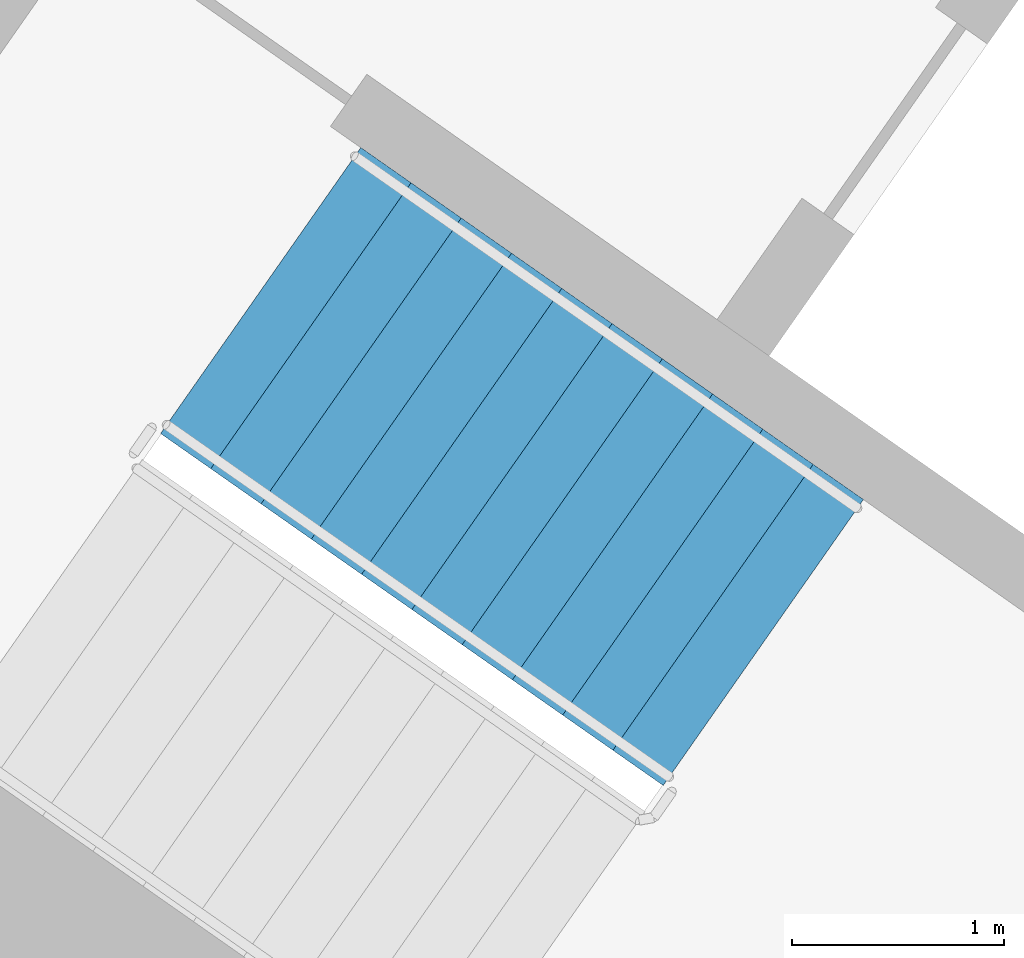
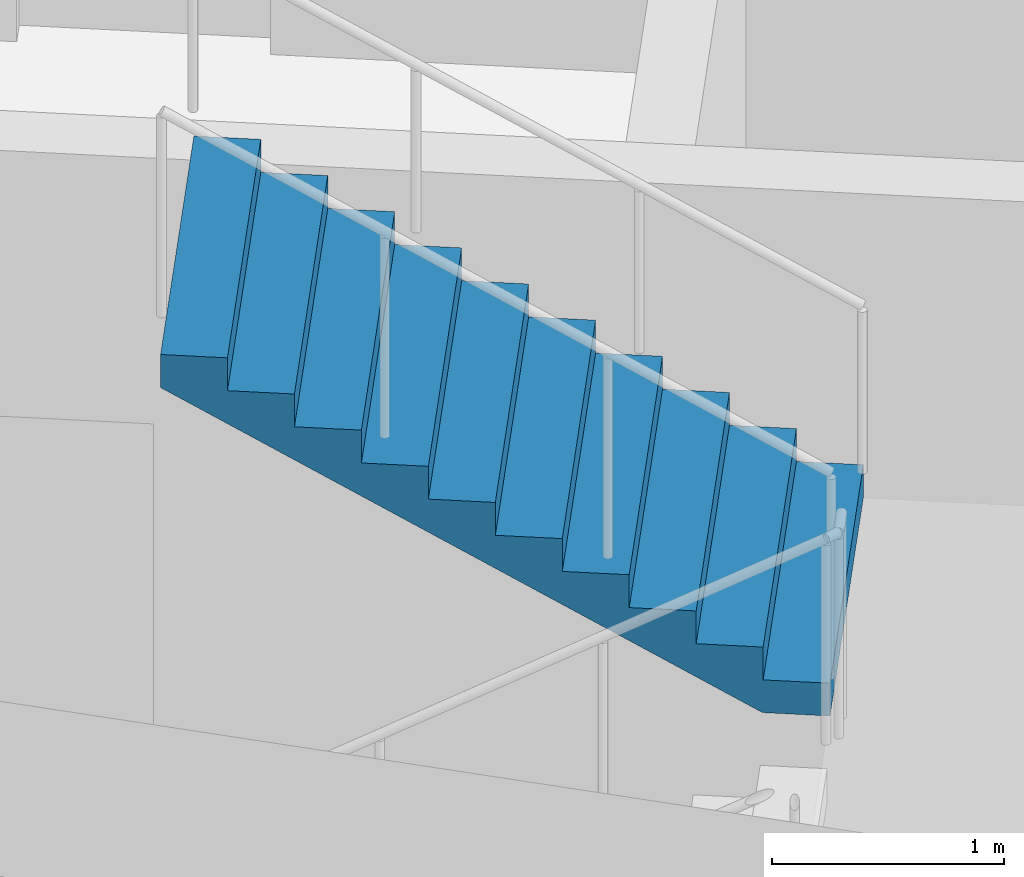
# One storey, part 12 of 32: 1 stair flight, 1 element without a shape of its own.
"""IFC4 building model written with IfcOpenShell, lengths in metres."""

from ifc_helpers import new_model, si_unit, direction, frame, origin, place, context, subcontext, project, spatial, faceted_brep, material, type_object, element, aggregate, save


model = new_model("IFC4")

# Units and contexts
model_context = context("Model", 3, precision=1e-05, world=origin(), true_north=direction((0.0, 1.0)))
body_context = subcontext(model_context, "Body", "Model", "MODEL_VIEW")
ifc_project = project(units=[si_unit("LENGTHUNIT", "METRE"), si_unit("AREAUNIT", "SQUARE_METRE"), si_unit("VOLUMEUNIT", "CUBIC_METRE"), si_unit("PLANEANGLEUNIT", "RADIAN"), si_unit("MASSUNIT", "GRAM", prefix="KILO")], contexts=[model_context])

# Site, building, storey
site_placement = place(None, origin())
site = spatial("IfcSite", under=ifc_project, at=site_placement, CompositionType="ELEMENT")
building_placement = place(site_placement, origin())
building = spatial("IfcBuilding", under=site, at=building_placement, Name="Qamariyya Broadcast Tower", CompositionType="ELEMENT")
storey_placement = place(building_placement, frame((0.0, 0.0, 63.300048828125)))
storey = spatial("IfcBuildingStorey", under=building, at=storey_placement, Name="L12", CompositionType="ELEMENT", Elevation=63.300048828125)

# Stair, stair flight
ifc_material = material(Name="Concrete C50/60", Category="concrete")
stair_type = type_object("IfcStairType", Name="Exit stair 22 risers of 173 mm", PredefinedType="HALF_TURN_STAIR", material=ifc_material)
stair_placement = place(storey_placement, origin())
stair = element("IfcStair", 1, at=stair_placement, inside=storey, type_object=stair_type, Name="L12 Stair W1", PredefinedType="HALF_TURN_STAIR")
stair_flight_type = type_object("IfcStairFlightType", Name="Exit stair flight 11 risers of 173 mm", PredefinedType="STRAIGHT", material=ifc_material)
stair_flight_placement = place(storey_placement, frame((-43.660888671875, -57.17138671875, 1.89990234375), z_axis=(0.0, 0.0, 1.0), x_axis=(-0.819152044289, 0.573576436351, 0.0)))
stair_flight = element("IfcStairFlight", 2, at=stair_flight_placement, type_object=stair_flight_type, Name="ST-W1 flight 2", NumberOfRisers=11, NumberOfTreads=10, PredefinedType="STRAIGHT", RiserHeight=0.172727273, TreadLength=0.29, context=body_context, shape_type="Brep", body=[
    faceted_brep([(0.0, 0.824951171875, 0.0), (0.0, 0.824951171875, 0.172607421875), (0.2900390625, 0.824951171875, 0.172607421875), (0.2900390625, 0.824951171875, 0.345458984375), (0.580078125, 0.824951171875, 0.345458984375), (0.580078125, 0.824951171875, 0.51806640625), (0.8701171875, 0.824951171875, 0.51806640625), (0.8701171875, 0.824951171875, 0.69091796875), (1.159912109375, 0.824951171875, 0.69091796875), (1.159912109375, 0.824951171875, 0.863525390625), (1.449951171875, 0.824951171875, 0.863525390625), (1.449951171875, 0.824951171875, 1.036376953125), (1.739990234375, 0.824951171875, 1.036376953125), (1.739990234375, 0.824951171875, 1.208984375), (2.030029296875, 0.824951171875, 1.208984375), (2.030029296875, 0.824951171875, 1.3818359375), (2.320068359375, 0.824951171875, 1.3818359375), (2.320068359375, 0.824951171875, 1.554443359375), (2.610107421875, 0.824951171875, 1.554443359375), (2.610107421875, 0.824951171875, 1.727294921875), (2.89990234375, 0.824951171875, 1.727294921875), (2.89990234375, 0.824951171875, 1.552734375), (0.29296875, 0.824951171875, 0.0), (0.29296875, -0.824951171875, 0.0), (2.89990234375, -0.824951171875, 1.552734375), (2.89990234375, -0.824951171875, 1.727294921875), (2.610107421875, -0.824951171875, 1.727294921875), (2.610107421875, -0.824951171875, 1.554443359375), (2.320068359375, -0.824951171875, 1.554443359375), (2.320068359375, -0.824951171875, 1.3818359375), (2.030029296875, -0.824951171875, 1.3818359375), (2.030029296875, -0.824951171875, 1.208984375), (1.739990234375, -0.824951171875, 1.208984375), (1.739990234375, -0.824951171875, 1.036376953125), (1.449951171875, -0.824951171875, 1.036376953125), (1.449951171875, -0.824951171875, 0.863525390625), (1.159912109375, -0.824951171875, 0.863525390625), (1.159912109375, -0.824951171875, 0.69091796875), (0.8701171875, -0.824951171875, 0.69091796875), (0.8701171875, -0.824951171875, 0.51806640625), (0.580078125, -0.824951171875, 0.51806640625), (0.580078125, -0.824951171875, 0.345458984375), (0.2900390625, -0.824951171875, 0.345458984375), (0.2900390625, -0.824951171875, 0.172607421875), (0.0, -0.824951171875, 0.172607421875), (0.0, -0.824951171875, 0.0), (0.0, 0.10009765625, 0.0), (0.0, 0.086669921875, 0.0), (0.0, 0.0732421875, 0.0), (0.0, 0.06005859375, 0.0), (0.0, 0.046630859375, 0.0), (0.0, 0.033447265625, 0.0), (0.0, 0.02001953125, 0.0), (0.0, 0.006591796875, 0.0), (0.0, -0.006591796875, 0.0), (0.0, -0.02001953125, 0.0), (0.0, -0.033447265625, 0.0), (0.0, -0.046630859375, 0.0), (0.0, -0.06005859375, 0.0), (0.0, -0.0732421875, 0.0), (0.0, -0.086669921875, 0.0), (0.0, -0.10009765625, 0.0), (0.0, -0.10009765625, 0.172607421875), (0.0, -0.086669921875, 0.172607421875), (0.0, -0.0732421875, 0.172607421875), (0.0, -0.06005859375, 0.172607421875), (0.0, -0.046630859375, 0.172607421875), (0.0, -0.033447265625, 0.172607421875), (0.0, -0.02001953125, 0.172607421875), (0.0, -0.006591796875, 0.172607421875), (0.0, 0.006591796875, 0.172607421875), (0.0, 0.02001953125, 0.172607421875), (0.0, 0.033447265625, 0.172607421875), (0.0, 0.046630859375, 0.172607421875), (0.0, 0.06005859375, 0.172607421875), (0.0, 0.0732421875, 0.172607421875), (0.0, 0.086669921875, 0.172607421875), (0.0, 0.10009765625, 0.172607421875), (0.2900390625, -0.10009765625, 0.172607421875), (0.2900390625, -0.086669921875, 0.172607421875), (0.2900390625, -0.0732421875, 0.172607421875), (0.2900390625, -0.06005859375, 0.172607421875), (0.2900390625, -0.046630859375, 0.172607421875), (0.2900390625, -0.033447265625, 0.172607421875), (0.2900390625, -0.02001953125, 0.172607421875), (0.2900390625, -0.006591796875, 0.172607421875), (0.2900390625, 0.006591796875, 0.172607421875), (0.2900390625, 0.02001953125, 0.172607421875), (0.2900390625, 0.033447265625, 0.172607421875), (0.2900390625, 0.046630859375, 0.172607421875), (0.2900390625, 0.06005859375, 0.172607421875), (0.2900390625, 0.0732421875, 0.172607421875), (0.2900390625, 0.086669921875, 0.172607421875), (0.2900390625, 0.10009765625, 0.172607421875), (0.2900390625, -0.10009765625, 0.345458984375), (0.2900390625, -0.086669921875, 0.345458984375), (0.2900390625, -0.0732421875, 0.345458984375), (0.2900390625, -0.06005859375, 0.345458984375), (0.2900390625, -0.046630859375, 0.345458984375), (0.2900390625, -0.033447265625, 0.345458984375), (0.2900390625, -0.02001953125, 0.345458984375), (0.2900390625, -0.006591796875, 0.345458984375), (0.2900390625, 0.006591796875, 0.345458984375), (0.2900390625, 0.02001953125, 0.345458984375), (0.2900390625, 0.033447265625, 0.345458984375), (0.2900390625, 0.046630859375, 0.345458984375), (0.2900390625, 0.06005859375, 0.345458984375), (0.2900390625, 0.0732421875, 0.345458984375), (0.2900390625, 0.086669921875, 0.345458984375), (0.2900390625, 0.10009765625, 0.345458984375), (0.580078125, -0.10009765625, 0.345458984375), (0.580078125, -0.086669921875, 0.345458984375), (0.580078125, -0.0732421875, 0.345458984375), (0.580078125, -0.06005859375, 0.345458984375), (0.580078125, -0.046630859375, 0.345458984375), (0.580078125, -0.033447265625, 0.345458984375), (0.580078125, -0.02001953125, 0.345458984375), (0.580078125, -0.006591796875, 0.345458984375), (0.580078125, 0.006591796875, 0.345458984375), (0.580078125, 0.02001953125, 0.345458984375), (0.580078125, 0.033447265625, 0.345458984375), (0.580078125, 0.046630859375, 0.345458984375), (0.580078125, 0.06005859375, 0.345458984375), (0.580078125, 0.0732421875, 0.345458984375), (0.580078125, 0.086669921875, 0.345458984375), (0.580078125, 0.10009765625, 0.345458984375), (0.580078125, -0.10009765625, 0.51806640625), (0.580078125, -0.086669921875, 0.51806640625), (0.580078125, -0.0732421875, 0.51806640625), (0.580078125, -0.06005859375, 0.51806640625), (0.580078125, -0.046630859375, 0.51806640625), (0.580078125, -0.033447265625, 0.51806640625), (0.580078125, -0.02001953125, 0.51806640625), (0.580078125, -0.006591796875, 0.51806640625), (0.580078125, 0.006591796875, 0.51806640625), (0.580078125, 0.02001953125, 0.51806640625), (0.580078125, 0.033447265625, 0.51806640625), (0.580078125, 0.046630859375, 0.51806640625), (0.580078125, 0.06005859375, 0.51806640625), (0.580078125, 0.0732421875, 0.51806640625), (0.580078125, 0.086669921875, 0.51806640625), (0.580078125, 0.10009765625, 0.51806640625), (0.8701171875, -0.10009765625, 0.51806640625), (0.8701171875, -0.086669921875, 0.51806640625), (0.8701171875, -0.0732421875, 0.51806640625), (0.8701171875, -0.06005859375, 0.51806640625), (0.8701171875, -0.046630859375, 0.51806640625), (0.8701171875, -0.033447265625, 0.51806640625), (0.8701171875, -0.02001953125, 0.51806640625), (0.8701171875, -0.006591796875, 0.51806640625), (0.8701171875, 0.006591796875, 0.51806640625), (0.8701171875, 0.02001953125, 0.51806640625), (0.8701171875, 0.033447265625, 0.51806640625), (0.8701171875, 0.046630859375, 0.51806640625), (0.8701171875, 0.06005859375, 0.51806640625), (0.8701171875, 0.0732421875, 0.51806640625), (0.8701171875, 0.086669921875, 0.51806640625), (0.8701171875, 0.10009765625, 0.51806640625), (0.8701171875, -0.10009765625, 0.69091796875), (0.8701171875, -0.086669921875, 0.69091796875), (0.8701171875, -0.0732421875, 0.69091796875), (0.8701171875, -0.06005859375, 0.69091796875), (0.8701171875, -0.046630859375, 0.69091796875), (0.8701171875, -0.033447265625, 0.69091796875), (0.8701171875, -0.02001953125, 0.69091796875), (0.8701171875, -0.006591796875, 0.69091796875), (0.8701171875, 0.006591796875, 0.69091796875), (0.8701171875, 0.02001953125, 0.69091796875), (0.8701171875, 0.033447265625, 0.69091796875), (0.8701171875, 0.046630859375, 0.69091796875), (0.8701171875, 0.06005859375, 0.69091796875), (0.8701171875, 0.0732421875, 0.69091796875), (0.8701171875, 0.086669921875, 0.69091796875), (0.8701171875, 0.10009765625, 0.69091796875), (1.159912109375, -0.10009765625, 0.69091796875), (1.159912109375, -0.086669921875, 0.69091796875), (1.159912109375, -0.0732421875, 0.69091796875), (1.159912109375, -0.06005859375, 0.69091796875), (1.159912109375, -0.046630859375, 0.69091796875), (1.159912109375, -0.033447265625, 0.69091796875), (1.159912109375, -0.02001953125, 0.69091796875), (1.159912109375, -0.006591796875, 0.69091796875), (1.159912109375, 0.006591796875, 0.69091796875), (1.159912109375, 0.02001953125, 0.69091796875), (1.159912109375, 0.033447265625, 0.69091796875), (1.159912109375, 0.046630859375, 0.69091796875), (1.159912109375, 0.06005859375, 0.69091796875), (1.159912109375, 0.0732421875, 0.69091796875), (1.159912109375, 0.086669921875, 0.69091796875), (1.159912109375, 0.10009765625, 0.69091796875), (1.159912109375, -0.10009765625, 0.863525390625), (1.159912109375, -0.086669921875, 0.863525390625), (1.159912109375, -0.0732421875, 0.863525390625), (1.159912109375, -0.06005859375, 0.863525390625), (1.159912109375, -0.046630859375, 0.863525390625), (1.159912109375, -0.033447265625, 0.863525390625), (1.159912109375, -0.02001953125, 0.863525390625), (1.159912109375, -0.006591796875, 0.863525390625), (1.159912109375, 0.006591796875, 0.863525390625), (1.159912109375, 0.02001953125, 0.863525390625), (1.159912109375, 0.033447265625, 0.863525390625), (1.159912109375, 0.046630859375, 0.863525390625), (1.159912109375, 0.06005859375, 0.863525390625), (1.159912109375, 0.0732421875, 0.863525390625), (1.159912109375, 0.086669921875, 0.863525390625), (1.159912109375, 0.10009765625, 0.863525390625), (1.449951171875, -0.10009765625, 0.863525390625), (1.449951171875, -0.086669921875, 0.863525390625), (1.449951171875, -0.0732421875, 0.863525390625), (1.449951171875, -0.06005859375, 0.863525390625), (1.449951171875, -0.046630859375, 0.863525390625), (1.449951171875, -0.033447265625, 0.863525390625), (1.449951171875, -0.02001953125, 0.863525390625), (1.449951171875, -0.006591796875, 0.863525390625), (1.449951171875, 0.006591796875, 0.863525390625), (1.449951171875, 0.02001953125, 0.863525390625), (1.449951171875, 0.033447265625, 0.863525390625), (1.449951171875, 0.046630859375, 0.863525390625), (1.449951171875, 0.06005859375, 0.863525390625), (1.449951171875, 0.0732421875, 0.863525390625), (1.449951171875, 0.086669921875, 0.863525390625), (1.449951171875, 0.10009765625, 0.863525390625), (1.449951171875, -0.10009765625, 1.036376953125), (1.449951171875, -0.086669921875, 1.036376953125), (1.449951171875, -0.0732421875, 1.036376953125), (1.449951171875, -0.06005859375, 1.036376953125), (1.449951171875, -0.046630859375, 1.036376953125), (1.449951171875, -0.033447265625, 1.036376953125), (1.449951171875, -0.02001953125, 1.036376953125), (1.449951171875, -0.006591796875, 1.036376953125), (1.449951171875, 0.006591796875, 1.036376953125), (1.449951171875, 0.02001953125, 1.036376953125), (1.449951171875, 0.033447265625, 1.036376953125), (1.449951171875, 0.046630859375, 1.036376953125), (1.449951171875, 0.06005859375, 1.036376953125), (1.449951171875, 0.0732421875, 1.036376953125), (1.449951171875, 0.086669921875, 1.036376953125), (1.449951171875, 0.10009765625, 1.036376953125), (1.739990234375, -0.10009765625, 1.036376953125), (1.739990234375, -0.086669921875, 1.036376953125), (1.739990234375, -0.0732421875, 1.036376953125), (1.739990234375, -0.06005859375, 1.036376953125), (1.739990234375, -0.046630859375, 1.036376953125), (1.739990234375, -0.033447265625, 1.036376953125), (1.739990234375, -0.02001953125, 1.036376953125), (1.739990234375, -0.006591796875, 1.036376953125), (1.739990234375, 0.006591796875, 1.036376953125), (1.739990234375, 0.02001953125, 1.036376953125), (1.739990234375, 0.033447265625, 1.036376953125), (1.739990234375, 0.046630859375, 1.036376953125), (1.739990234375, 0.06005859375, 1.036376953125), (1.739990234375, 0.0732421875, 1.036376953125), (1.739990234375, 0.086669921875, 1.036376953125), (1.739990234375, 0.10009765625, 1.036376953125), (1.739990234375, -0.10009765625, 1.208984375), (1.739990234375, -0.086669921875, 1.208984375), (1.739990234375, -0.0732421875, 1.208984375), (1.739990234375, -0.06005859375, 1.208984375), (1.739990234375, -0.046630859375, 1.208984375), (1.739990234375, -0.033447265625, 1.208984375), (1.739990234375, -0.02001953125, 1.208984375), (1.739990234375, -0.006591796875, 1.208984375), (1.739990234375, 0.006591796875, 1.208984375), (1.739990234375, 0.02001953125, 1.208984375), (1.739990234375, 0.033447265625, 1.208984375), (1.739990234375, 0.046630859375, 1.208984375), (1.739990234375, 0.06005859375, 1.208984375), (1.739990234375, 0.0732421875, 1.208984375), (1.739990234375, 0.086669921875, 1.208984375), (1.739990234375, 0.10009765625, 1.208984375), (2.030029296875, -0.10009765625, 1.208984375), (2.030029296875, -0.086669921875, 1.208984375), (2.030029296875, -0.0732421875, 1.208984375), (2.030029296875, -0.06005859375, 1.208984375), (2.030029296875, -0.046630859375, 1.208984375), (2.030029296875, -0.033447265625, 1.208984375), (2.030029296875, -0.02001953125, 1.208984375), (2.030029296875, -0.006591796875, 1.208984375), (2.030029296875, 0.006591796875, 1.208984375), (2.030029296875, 0.02001953125, 1.208984375), (2.030029296875, 0.033447265625, 1.208984375), (2.030029296875, 0.046630859375, 1.208984375), (2.030029296875, 0.06005859375, 1.208984375), (2.030029296875, 0.0732421875, 1.208984375), (2.030029296875, 0.086669921875, 1.208984375), (2.030029296875, 0.10009765625, 1.208984375), (2.030029296875, -0.10009765625, 1.3818359375), (2.030029296875, -0.086669921875, 1.3818359375), (2.030029296875, -0.0732421875, 1.3818359375), (2.030029296875, -0.06005859375, 1.3818359375), (2.030029296875, -0.046630859375, 1.3818359375), (2.030029296875, -0.033447265625, 1.3818359375), (2.030029296875, -0.02001953125, 1.3818359375), (2.030029296875, -0.006591796875, 1.3818359375), (2.030029296875, 0.006591796875, 1.3818359375), (2.030029296875, 0.02001953125, 1.3818359375), (2.030029296875, 0.033447265625, 1.3818359375), (2.030029296875, 0.046630859375, 1.3818359375), (2.030029296875, 0.06005859375, 1.3818359375), (2.030029296875, 0.0732421875, 1.3818359375), (2.030029296875, 0.086669921875, 1.3818359375), (2.030029296875, 0.10009765625, 1.3818359375), (2.320068359375, -0.10009765625, 1.3818359375), (2.320068359375, -0.086669921875, 1.3818359375), (2.320068359375, -0.0732421875, 1.3818359375), (2.320068359375, -0.06005859375, 1.3818359375), (2.320068359375, -0.046630859375, 1.3818359375), (2.320068359375, -0.033447265625, 1.3818359375), (2.320068359375, -0.02001953125, 1.3818359375), (2.320068359375, -0.006591796875, 1.3818359375), (2.320068359375, 0.006591796875, 1.3818359375), (2.320068359375, 0.02001953125, 1.3818359375), (2.320068359375, 0.033447265625, 1.3818359375), (2.320068359375, 0.046630859375, 1.3818359375), (2.320068359375, 0.06005859375, 1.3818359375), (2.320068359375, 0.0732421875, 1.3818359375), (2.320068359375, 0.086669921875, 1.3818359375), (2.320068359375, 0.10009765625, 1.3818359375), (2.320068359375, -0.10009765625, 1.554443359375), (2.320068359375, -0.086669921875, 1.554443359375), (2.320068359375, -0.0732421875, 1.554443359375), (2.320068359375, -0.06005859375, 1.554443359375), (2.320068359375, -0.046630859375, 1.554443359375), (2.320068359375, -0.033447265625, 1.554443359375), (2.320068359375, -0.02001953125, 1.554443359375), (2.320068359375, -0.006591796875, 1.554443359375), (2.320068359375, 0.006591796875, 1.554443359375), (2.320068359375, 0.02001953125, 1.554443359375), (2.320068359375, 0.033447265625, 1.554443359375), (2.320068359375, 0.046630859375, 1.554443359375), (2.320068359375, 0.06005859375, 1.554443359375), (2.320068359375, 0.0732421875, 1.554443359375), (2.320068359375, 0.086669921875, 1.554443359375), (2.320068359375, 0.10009765625, 1.554443359375), (2.610107421875, -0.10009765625, 1.554443359375), (2.610107421875, -0.086669921875, 1.554443359375), (2.610107421875, -0.0732421875, 1.554443359375), (2.610107421875, -0.06005859375, 1.554443359375), (2.610107421875, -0.046630859375, 1.554443359375), (2.610107421875, -0.033447265625, 1.554443359375), (2.610107421875, -0.02001953125, 1.554443359375), (2.610107421875, -0.006591796875, 1.554443359375), (2.610107421875, 0.006591796875, 1.554443359375), (2.610107421875, 0.02001953125, 1.554443359375), (2.610107421875, 0.033447265625, 1.554443359375), (2.610107421875, 0.046630859375, 1.554443359375), (2.610107421875, 0.06005859375, 1.554443359375), (2.610107421875, 0.0732421875, 1.554443359375), (2.610107421875, 0.086669921875, 1.554443359375), (2.610107421875, 0.10009765625, 1.554443359375), (2.610107421875, -0.10009765625, 1.727294921875), (2.610107421875, -0.086669921875, 1.727294921875), (2.610107421875, -0.0732421875, 1.727294921875), (2.610107421875, -0.06005859375, 1.727294921875), (2.610107421875, -0.046630859375, 1.727294921875), (2.610107421875, -0.033447265625, 1.727294921875), (2.610107421875, -0.02001953125, 1.727294921875), (2.610107421875, -0.006591796875, 1.727294921875), (2.610107421875, 0.006591796875, 1.727294921875), (2.610107421875, 0.02001953125, 1.727294921875), (2.610107421875, 0.033447265625, 1.727294921875), (2.610107421875, 0.046630859375, 1.727294921875), (2.610107421875, 0.06005859375, 1.727294921875), (2.610107421875, 0.0732421875, 1.727294921875), (2.610107421875, 0.086669921875, 1.727294921875), (2.610107421875, 0.10009765625, 1.727294921875), (2.89990234375, -0.10009765625, 1.727294921875), (2.89990234375, -0.086669921875, 1.727294921875), (2.89990234375, -0.0732421875, 1.727294921875), (2.89990234375, -0.06005859375, 1.727294921875), (2.89990234375, -0.046630859375, 1.727294921875), (2.89990234375, -0.033447265625, 1.727294921875), (2.89990234375, -0.02001953125, 1.727294921875), (2.89990234375, -0.006591796875, 1.727294921875), (2.89990234375, 0.006591796875, 1.727294921875), (2.89990234375, 0.02001953125, 1.727294921875), (2.89990234375, 0.033447265625, 1.727294921875), (2.89990234375, 0.046630859375, 1.727294921875), (2.89990234375, 0.06005859375, 1.727294921875), (2.89990234375, 0.0732421875, 1.727294921875), (2.89990234375, 0.086669921875, 1.727294921875), (2.89990234375, 0.10009765625, 1.727294921875), (2.89990234375, -0.10009765625, 1.552734375), (2.89990234375, -0.086669921875, 1.552734375), (2.89990234375, -0.0732421875, 1.552734375), (2.89990234375, -0.06005859375, 1.552734375), (2.89990234375, -0.046630859375, 1.552734375), (2.89990234375, -0.033447265625, 1.552734375), (2.89990234375, -0.02001953125, 1.552734375), (2.89990234375, -0.006591796875, 1.552734375), (2.89990234375, 0.006591796875, 1.552734375), (2.89990234375, 0.02001953125, 1.552734375), (2.89990234375, 0.033447265625, 1.552734375), (2.89990234375, 0.046630859375, 1.552734375), (2.89990234375, 0.06005859375, 1.552734375), (2.89990234375, 0.0732421875, 1.552734375), (2.89990234375, 0.086669921875, 1.552734375), (2.89990234375, 0.10009765625, 1.552734375), (0.29296875, -0.10009765625, 0.0), (0.29296875, -0.086669921875, 0.0), (0.29296875, -0.0732421875, 0.0), (0.29296875, -0.06005859375, 0.0), (0.29296875, -0.046630859375, 0.0), (0.29296875, -0.033447265625, 0.0), (0.29296875, -0.02001953125, 0.0), (0.29296875, -0.006591796875, 0.0), (0.29296875, 0.006591796875, 0.0), (0.29296875, 0.02001953125, 0.0), (0.29296875, 0.033447265625, 0.0), (0.29296875, 0.046630859375, 0.0), (0.29296875, 0.06005859375, 0.0), (0.29296875, 0.0732421875, 0.0), (0.29296875, 0.086669921875, 0.0), (0.29296875, 0.10009765625, 0.0)], [[[0, 1, 2, 3, 4, 5, 6, 7, 8, 9, 10, 11, 12, 13, 14, 15, 16, 17, 18, 19, 20, 21, 22]], [[23, 24, 25, 26, 27, 28, 29, 30, 31, 32, 33, 34, 35, 36, 37, 38, 39, 40, 41, 42, 43, 44, 45]], [[0, 46, 47, 48, 49, 50, 51, 52, 53, 54, 55, 56, 57, 58, 59, 60, 61, 45, 44, 62, 63, 64, 65, 66, 67, 68, 69, 70, 71, 72, 73, 74, 75, 76, 77, 1]], [[1, 77, 76, 75, 74, 73, 72, 71, 70, 69, 68, 67, 66, 65, 64, 63, 62, 44, 43, 78, 79, 80, 81, 82, 83, 84, 85, 86, 87, 88, 89, 90, 91, 92, 93, 2]], [[2, 93, 92, 91, 90, 89, 88, 87, 86, 85, 84, 83, 82, 81, 80, 79, 78, 43, 42, 94, 95, 96, 97, 98, 99, 100, 101, 102, 103, 104, 105, 106, 107, 108, 109, 3]], [[3, 109, 108, 107, 106, 105, 104, 103, 102, 101, 100, 99, 98, 97, 96, 95, 94, 42, 41, 110, 111, 112, 113, 114, 115, 116, 117, 118, 119, 120, 121, 122, 123, 124, 125, 4]], [[4, 125, 124, 123, 122, 121, 120, 119, 118, 117, 116, 115, 114, 113, 112, 111, 110, 41, 40, 126, 127, 128, 129, 130, 131, 132, 133, 134, 135, 136, 137, 138, 139, 140, 141, 5]], [[5, 141, 140, 139, 138, 137, 136, 135, 134, 133, 132, 131, 130, 129, 128, 127, 126, 40, 39, 142, 143, 144, 145, 146, 147, 148, 149, 150, 151, 152, 153, 154, 155, 156, 157, 6]], [[6, 157, 156, 155, 154, 153, 152, 151, 150, 149, 148, 147, 146, 145, 144, 143, 142, 39, 38, 158, 159, 160, 161, 162, 163, 164, 165, 166, 167, 168, 169, 170, 171, 172, 173, 7]], [[7, 173, 172, 171, 170, 169, 168, 167, 166, 165, 164, 163, 162, 161, 160, 159, 158, 38, 37, 174, 175, 176, 177, 178, 179, 180, 181, 182, 183, 184, 185, 186, 187, 188, 189, 8]], [[8, 189, 188, 187, 186, 185, 184, 183, 182, 181, 180, 179, 178, 177, 176, 175, 174, 37, 36, 190, 191, 192, 193, 194, 195, 196, 197, 198, 199, 200, 201, 202, 203, 204, 205, 9]], [[9, 205, 204, 203, 202, 201, 200, 199, 198, 197, 196, 195, 194, 193, 192, 191, 190, 36, 35, 206, 207, 208, 209, 210, 211, 212, 213, 214, 215, 216, 217, 218, 219, 220, 221, 10]], [[10, 221, 220, 219, 218, 217, 216, 215, 214, 213, 212, 211, 210, 209, 208, 207, 206, 35, 34, 222, 223, 224, 225, 226, 227, 228, 229, 230, 231, 232, 233, 234, 235, 236, 237, 11]], [[11, 237, 236, 235, 234, 233, 232, 231, 230, 229, 228, 227, 226, 225, 224, 223, 222, 34, 33, 238, 239, 240, 241, 242, 243, 244, 245, 246, 247, 248, 249, 250, 251, 252, 253, 12]], [[12, 253, 252, 251, 250, 249, 248, 247, 246, 245, 244, 243, 242, 241, 240, 239, 238, 33, 32, 254, 255, 256, 257, 258, 259, 260, 261, 262, 263, 264, 265, 266, 267, 268, 269, 13]], [[13, 269, 268, 267, 266, 265, 264, 263, 262, 261, 260, 259, 258, 257, 256, 255, 254, 32, 31, 270, 271, 272, 273, 274, 275, 276, 277, 278, 279, 280, 281, 282, 283, 284, 285, 14]], [[14, 285, 284, 283, 282, 281, 280, 279, 278, 277, 276, 275, 274, 273, 272, 271, 270, 31, 30, 286, 287, 288, 289, 290, 291, 292, 293, 294, 295, 296, 297, 298, 299, 300, 301, 15]], [[15, 301, 300, 299, 298, 297, 296, 295, 294, 293, 292, 291, 290, 289, 288, 287, 286, 30, 29, 302, 303, 304, 305, 306, 307, 308, 309, 310, 311, 312, 313, 314, 315, 316, 317, 16]], [[16, 317, 316, 315, 314, 313, 312, 311, 310, 309, 308, 307, 306, 305, 304, 303, 302, 29, 28, 318, 319, 320, 321, 322, 323, 324, 325, 326, 327, 328, 329, 330, 331, 332, 333, 17]], [[17, 333, 332, 331, 330, 329, 328, 327, 326, 325, 324, 323, 322, 321, 320, 319, 318, 28, 27, 334, 335, 336, 337, 338, 339, 340, 341, 342, 343, 344, 345, 346, 347, 348, 349, 18]], [[18, 349, 348, 347, 346, 345, 344, 343, 342, 341, 340, 339, 338, 337, 336, 335, 334, 27, 26, 350, 351, 352, 353, 354, 355, 356, 357, 358, 359, 360, 361, 362, 363, 364, 365, 19]], [[19, 365, 364, 363, 362, 361, 360, 359, 358, 357, 356, 355, 354, 353, 352, 351, 350, 26, 25, 366, 367, 368, 369, 370, 371, 372, 373, 374, 375, 376, 377, 378, 379, 380, 381, 20]], [[20, 381, 380, 379, 378, 377, 376, 375, 374, 373, 372, 371, 370, 369, 368, 367, 366, 25, 24, 382, 383, 384, 385, 386, 387, 388, 389, 390, 391, 392, 393, 394, 395, 396, 397, 21]], [[21, 397, 396, 395, 394, 393, 392, 391, 390, 389, 388, 387, 386, 385, 384, 383, 382, 24, 23, 398, 399, 400, 401, 402, 403, 404, 405, 406, 407, 408, 409, 410, 411, 412, 413, 22]], [[22, 413, 412, 411, 410, 409, 408, 407, 406, 405, 404, 403, 402, 401, 400, 399, 398, 23, 45, 61, 60, 59, 58, 57, 56, 55, 54, 53, 52, 51, 50, 49, 48, 47, 46, 0]]]),
])
aggregate(stair, [stair_flight])

save(model, "model.ifc")
